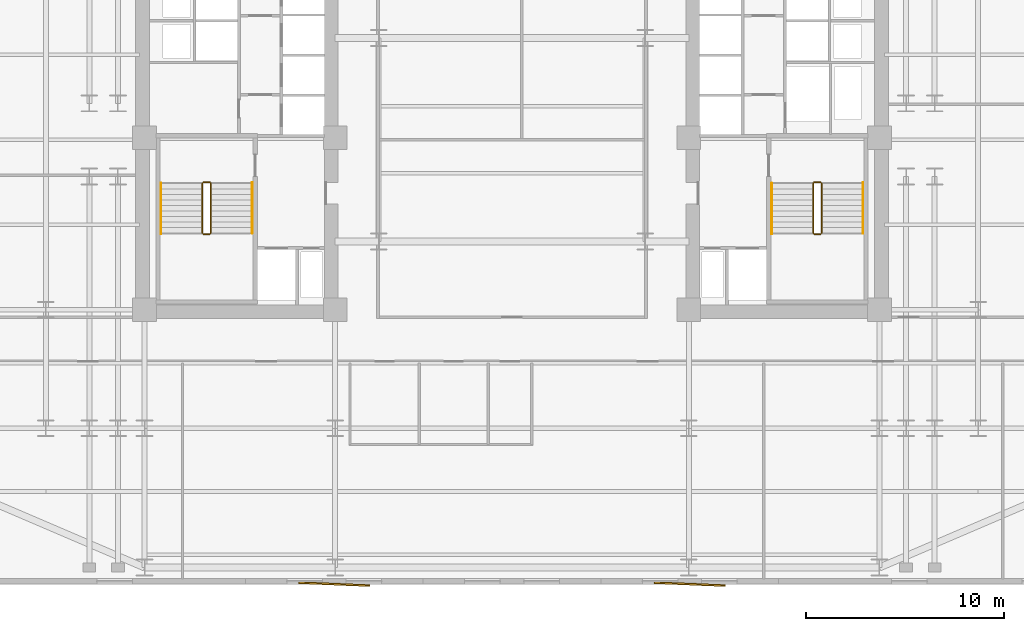
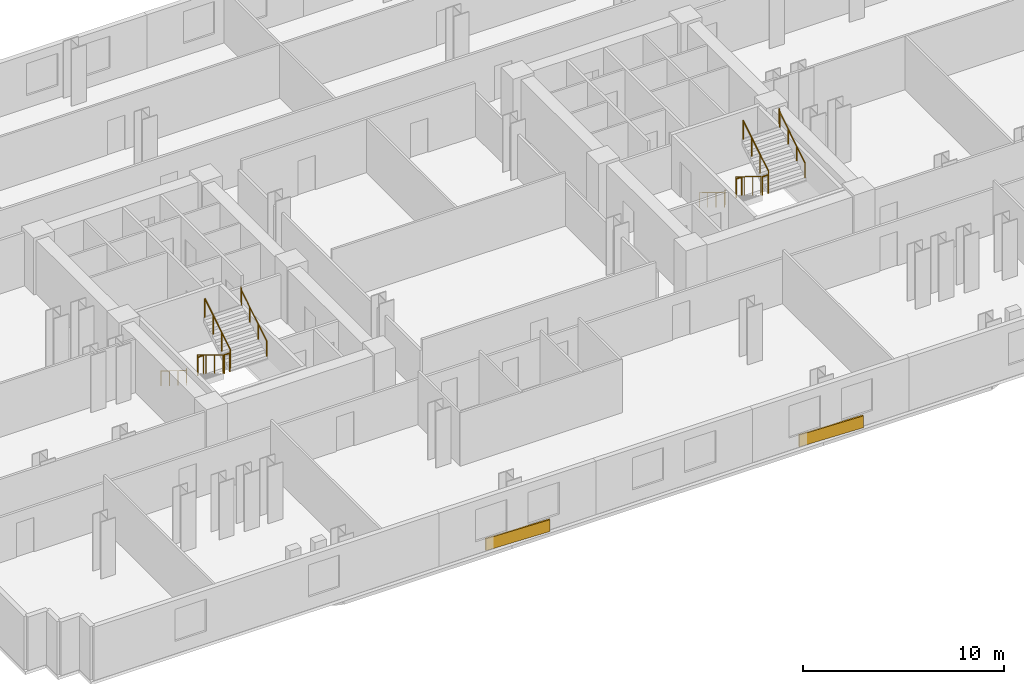
# One storey, part 9 of 10: 12 railings, 2 coverings.
"""IFC4 building model written with IfcOpenShell, lengths in metres."""

import ifcopenshell
import ifcopenshell.guid

model = None  # the IFC model being written
_history = None  # IfcOwnerHistory: only IFC2X3 demands one
_inside = {}  # id of a spatial element -> (the spatial element, [elements in it])
_under = {}  # id of a project, library or spatial element -> (it, [spatial elements below it])
_declared = {}  # id of a project -> (the project, [libraries it declares])
_typed = {}  # id of a type object -> (the type object, [elements of that type])
_made_of = {}  # id of a material, layer set ... -> (it, [elements and type objects made of it])


def new_model(schema):
    """Start an empty IFC model of exactly this schema.

    Asked for "IFC4X3", IfcOpenShell would pick the latest addendum, in which some entities
    have other attributes; the version numbers below select the first issue.
    IFC2X3 requires an IfcOwnerHistory on every rooted entity: one is made here for all.
    """
    global model, _history
    if schema == "IFC4X3":
        model = ifcopenshell.file(schema_version=(4, 3, 0, 0))
    else:
        model = ifcopenshell.file(schema=schema)
    _inside.clear()
    _under.clear()
    _declared.clear()
    _typed.clear()
    _made_of.clear()
    _history = None
    if model.schema == "IFC2X3":
        org = make("IfcOrganization", Name="unknown")
        user = make(
            "IfcPersonAndOrganization",
            ThePerson=make("IfcPerson", FamilyName="unknown"),
            TheOrganization=org,
        )
        app = make(
            "IfcApplication",
            ApplicationDeveloper=org,
            Version="unknown",
            ApplicationFullName="unknown",
            ApplicationIdentifier="unknown",
        )
        _history = make(
            "IfcOwnerHistory",
            OwningUser=user,
            OwningApplication=app,
            ChangeAction="ADDED",
            CreationDate=0,
        )
    return model


def make(cls, **values):
    """One entity of the class cls with the attributes given. An attribute that is None is left unset."""
    return model.create_entity(
        cls, **{name: value for name, value in values.items() if value is not None}
    )


def rooted(cls, **values):
    """An entity with a GlobalId (a new one), such as an element, a storey or a relation."""
    return make(cls, GlobalId=ifcopenshell.guid.new(), OwnerHistory=_history, **values)


def si_unit(unit_type, name, prefix=None):
    """IfcSIUnit, for example si_unit("LENGTHUNIT", "METRE", prefix="MILLI")."""
    return make("IfcSIUnit", UnitType=unit_type, Prefix=prefix, Name=name)


def assignment(units):
    """IfcUnitAssignment: the units of a project."""
    return None if units is None else make("IfcUnitAssignment", Units=units)


def point(xyz):
    """IfcCartesianPoint."""
    return None if xyz is None else make("IfcCartesianPoint", Coordinates=xyz)


def direction(xyz):
    """IfcDirection."""
    return None if xyz is None else make("IfcDirection", DirectionRatios=xyz)


def frame(location, z_axis=None, x_axis=None):
    """IfcAxis2Placement3D, a coordinate frame: its origin and axes. An axis left out is left unset."""
    return make(
        "IfcAxis2Placement3D",
        Location=point(location),
        Axis=direction(z_axis),
        RefDirection=direction(x_axis),
    )


def frame_2d(location, x_axis=None):
    """IfcAxis2Placement2D, a coordinate frame in the plane: its origin and x axis."""
    return make(
        "IfcAxis2Placement2D", Location=point(location), RefDirection=direction(x_axis)
    )


def origin():
    """The frame at (0, 0, 0) with its axes left unset."""
    return frame((0.0, 0.0, 0.0))


def origin_2d():
    """The frame at (0, 0) in the plane with its x axis left unset."""
    return frame_2d((0.0, 0.0))


def place(relative_to, where):
    """IfcLocalPlacement: puts the frame where relative to a parent placement (None: the world)."""
    return make(
        "IfcLocalPlacement", PlacementRelTo=relative_to, RelativePlacement=where
    )


def context(
    kind, dimensions, precision=None, world=None, true_north=None, identifier=None
):
    """IfcGeometricRepresentationContext, for example the 3D "Model" context."""
    return make(
        "IfcGeometricRepresentationContext",
        ContextIdentifier=identifier,
        ContextType=kind,
        CoordinateSpaceDimension=dimensions,
        Precision=precision,
        WorldCoordinateSystem=world,
        TrueNorth=true_north,
    )


def subcontext(parent, identifier, kind, view, scale=None):
    """IfcGeometricRepresentationSubContext, for example "Body" below "Model"."""
    return make(
        "IfcGeometricRepresentationSubContext",
        ContextIdentifier=identifier,
        ContextType=kind,
        ParentContext=parent,
        TargetScale=scale,
        TargetView=view,
    )


def project(units=None, contexts=None):
    """IfcProject with its units and contexts."""
    return rooted(
        "IfcProject",
        Name="project",
        RepresentationContexts=contexts,
        UnitsInContext=assignment(units),
    )


def spatial(cls, under=None, at=None, **own):
    """A site, building, storey or space (cls), placed at a placement, below another one or the project."""
    s = rooted(cls, ObjectPlacement=at, **own)
    if under is not None:
        _under.setdefault(under.id(), (under, []))[1].append(s)
    return s


def profile(cls, at=None, kind="AREA", **sizes):
    """A parametric profile (cls). Its sizes go by their IFC names, for example OverallWidth=200.0."""
    return make(cls, ProfileType=kind, Position=at, **sizes)


def rectangle(**sizes):
    """IfcRectangleProfileDef."""
    return profile("IfcRectangleProfileDef", **sizes)


def circle(**sizes):
    """IfcCircleProfileDef."""
    return profile("IfcCircleProfileDef", **sizes)


def extrude(swept, where, along, depth):
    """IfcExtrudedAreaSolid: the profile swept, set in the frame where, extruded along a direction by depth."""
    return make(
        "IfcExtrudedAreaSolid",
        SweptArea=swept,
        Position=where,
        ExtrudedDirection=direction(along),
        Depth=depth,
    )


def shape(context_of_items, identifier, shape_type, items):
    """IfcShapeRepresentation: the items that make up one representation, for example the "Body"."""
    return make(
        "IfcShapeRepresentation",
        ContextOfItems=context_of_items,
        RepresentationIdentifier=identifier,
        RepresentationType=shape_type,
        Items=items,
    )


def material(Name=None, Category=None):
    """IfcMaterial."""
    return make("IfcMaterial", Name=Name, Category=Category)


def layer(
    of_material, thickness, ventilated=None, Name=None, Category=None, Priority=None
):
    """IfcMaterialLayer: one layer of a wall or slab, of a material (None: an air gap)."""
    return make(
        "IfcMaterialLayer",
        Material=of_material,
        LayerThickness=thickness,
        IsVentilated=ventilated,
        Name=Name,
        Category=Category,
        Priority=Priority,
    )


def layer_set(layers, Name=None):
    """IfcMaterialLayerSet."""
    return make("IfcMaterialLayerSet", MaterialLayers=layers, LayerSetName=Name)


def made_of(thing, what):
    """Note that an element or type object is made of a material, layer set ...; save() writes the relation."""
    if what is not None:
        _made_of.setdefault(what.id(), (what, []))[1].append(thing)
    return thing


def type_object(cls, material=None, **own):
    """A type object (cls), such as IfcWallType, which elements share."""
    return made_of(rooted(cls, **own), material)


def element(
    cls,
    number,
    at=None,
    inside=None,
    cuts=None,
    type_object=None,
    material=None,
    context=None,
    identifier="Body",
    shape_type=None,
    held_by="IfcProductDefinitionShape",
    body=None,
    shapes=None,
    **own,
):
    """One element of the class cls, such as IfcWall. Its Tag is "e" and its number.

    at: its placement. inside: the storey or other place that contains it. cuts: it is an
    opening in that element (IfcRelVoidsElement). A single representation is given by context,
    identifier, shape_type and body (its items); several are given by shapes. held_by: the class
    of the entity that holds the representations. save() writes the other relations.
    """
    e = rooted(cls, Tag="e%d" % number, ObjectPlacement=at, **own)
    if body is not None:
        shapes = [shape(context, identifier, shape_type, body)]
    if shapes is not None:
        e.Representation = make(held_by, Representations=shapes)
    if inside is not None:
        _inside.setdefault(inside.id(), (inside, []))[1].append(e)
    if cuts is not None:
        rooted(
            "IfcRelVoidsElement", RelatingBuildingElement=cuts, RelatedOpeningElement=e
        )
    if type_object is not None:
        _typed.setdefault(type_object.id(), (type_object, []))[1].append(e)
    return made_of(e, material)


def aggregate(whole, parts):
    """IfcRelAggregates: a whole, such as a stair, and the parts it consists of."""
    return rooted("IfcRelAggregates", RelatingObject=whole, RelatedObjects=parts)


def save(model, path):
    """Write the relations noted so far, then the file.

    IfcRelAggregates (storeys below a building ...), IfcRelContainedInSpatialStructure (elements
    in a storey), IfcRelDefinesByType, IfcRelAssociatesMaterial and IfcRelDeclares: one each for
    every whole, place, type object, material and project.
    """
    for whole, parts in _under.values():
        aggregate(whole, parts)
    for where, things in _inside.values():
        rooted(
            "IfcRelContainedInSpatialStructure",
            RelatedElements=things,
            RelatingStructure=where,
        )
    for kind, things in _typed.values():
        rooted("IfcRelDefinesByType", RelatedObjects=things, RelatingType=kind)
    for what, things in _made_of.values():
        rooted("IfcRelAssociatesMaterial", RelatedObjects=things, RelatingMaterial=what)
    for by, libraries in _declared.values():
        rooted("IfcRelDeclares", RelatingContext=by, RelatedDefinitions=libraries)
    model.write(path)


model = new_model("IFC4")

# Units and contexts
model_context = context("Model", 3, precision=1e-05, world=origin(), true_north=direction((0.0, 1.0)))
body_context = subcontext(model_context, "Body", "Model", "MODEL_VIEW")
ifc_project = project(units=[si_unit("LENGTHUNIT", "METRE"), si_unit("AREAUNIT", "SQUARE_METRE"), si_unit("VOLUMEUNIT", "CUBIC_METRE"), si_unit("PLANEANGLEUNIT", "RADIAN"), si_unit("MASSUNIT", "GRAM", prefix="KILO")], contexts=[model_context])

# Site, building, storey
site_placement = place(None, origin())
site = spatial("IfcSite", under=ifc_project, at=site_placement, CompositionType="ELEMENT")
building_placement = place(site_placement, origin())
building = spatial("IfcBuilding", under=site, at=building_placement, Name="Velakula Bourse", CompositionType="ELEMENT")
storey_placement = place(building_placement, frame((0.0, 0.0, 51.89990234375)))
storey = spatial("IfcBuildingStorey", under=building, at=storey_placement, Name="L13", CompositionType="ELEMENT", Elevation=51.89990234375)

# Coverings
ifc_material_1 = material(Name="Red kilned clay facing brick masonry", Category="masonry")
ifc_layer = layer(ifc_material_1, 0.090087890625, Name="Red kilned clay facing brick masonry", Category="masonry")
ifc_layer_set = layer_set([ifc_layer], Name="Red kilned clay facing brick masonry")
covering_type = type_object("IfcCoveringType", Name="COV-BRK-FOLD-90", PredefinedType="CLADDING", material=ifc_layer_set)
for number, where, z_axis, x_axis, name in (
    (1, (-9.0, -22.489990234375, 0.0), (0.0, 0.0, 1.0), (0.999158993058, -0.041003738744, 0.0), "L13 Folded Brick Facade Cladding Panel S-B2"),
    (2, (9.0, -22.489990234375, 0.0), (0.0, 0.0, 1.0), (0.999158993058, -0.041003738744, 0.0), "L13 Folded Brick Facade Cladding Panel S-B4"),
):
    element("IfcCovering", number, at=place(storey_placement, frame(where, z_axis=z_axis, x_axis=x_axis)), inside=storey, type_object=covering_type, Name=name, PredefinedType="CLADDING", context=body_context, shape_type="SweptSolid", body=[
        extrude(rectangle(XDim=3.60009765625, YDim=0.090087890625, at=origin_2d()), origin(), (0.0, 0.0, 1.0), 0.719970703125),
    ])

# Railings
ifc_material_2 = material(Name="Brushed grade 316 stainless steel", Category="steel")
railing_type_1 = type_object("IfcRailingType", Name="RLG-STAIR-GUARD-1150", PredefinedType="BALUSTRADE", material=ifc_material_2)
railing_1_placement = place(storey_placement, frame((-15.672119140625, -2.199951171875, 0.172607421875)))
element("IfcRailing", 3, at=railing_1_placement, inside=storey, type_object=railing_type_1, Name="L13 ST-W1 stair guard 1", PredefinedType="BALUSTRADE", context=body_context, shape_type="SweptSolid", body=[
    extrude(circle(Radius=0.02490234375, at=origin_2d()), frame((0.0, 0.0, 1.125), z_axis=(0.0, -0.851400495292, 0.524516154772), x_axis=(1.0, 0.0, 0.0)), (0.0, 0.0, 1.0), 2.9599609375),
    extrude(circle(Radius=0.02099609375, at=origin_2d()), origin(), (0.0, 0.0, 1.0), 1.099853515625),
    extrude(circle(Radius=0.02099609375, at=origin_2d()), frame((0.0, -0.840087890625, 0.517578125)), (0.0, 0.0, 1.0), 1.099853515625),
    extrude(circle(Radius=0.02099609375, at=origin_2d()), frame((0.0, -1.679931640625, 1.034912109375)), (0.0, 0.0, 1.0), 1.099853515625),
    extrude(circle(Radius=0.02099609375, at=origin_2d()), frame((0.0, -2.52001953125, 1.552490234375)), (0.0, 0.0, 1.0), 1.099853515625),
])
railing_2_placement = place(storey_placement, frame((-15.6220703125, -4.77001953125, 1.72509765625)))
element("IfcRailing", 4, at=railing_2_placement, inside=storey, type_object=railing_type_1, Name="L13 ST-W1 stair guard 2", PredefinedType="BALUSTRADE", context=body_context, shape_type="SweptSolid", body=[
    extrude(circle(Radius=0.02490234375, at=origin_2d()), frame((0.0, 0.0, 1.125), z_axis=(1.0, 0.0, 0.0), x_axis=(0.0, 1.0, 0.0)), (0.0, 0.0, 1.0), 0.323974609375),
    extrude(circle(Radius=0.02099609375, at=origin_2d()), origin(), (0.0, 0.0, 1.0), 1.099853515625),
    extrude(circle(Radius=0.02099609375, at=origin_2d()), frame((0.323974609375, 0.0, 0.0)), (0.0, 0.0, 1.0), 1.099853515625),
])
railing_3_placement = place(storey_placement, frame((-15.248046875, -4.719970703125, 1.897705078125)))
element("IfcRailing", 5, at=railing_3_placement, inside=storey, type_object=railing_type_1, Name="L13 ST-W1 stair guard 3", PredefinedType="BALUSTRADE", context=body_context, shape_type="SweptSolid", body=[
    extrude(circle(Radius=0.02490234375, at=origin_2d()), frame((0.0, 0.0, 1.125), z_axis=(0.0, 0.851400495292, 0.524516154772), x_axis=(-1.0, 0.0, 0.0)), (0.0, 0.0, 1.0), 2.9599609375),
    extrude(circle(Radius=0.02099609375, at=origin_2d()), origin(), (0.0, 0.0, 1.0), 1.099853515625),
    extrude(circle(Radius=0.02099609375, at=origin_2d()), frame((0.0, 0.840087890625, 0.517578125)), (0.0, 0.0, 1.0), 1.099853515625),
    extrude(circle(Radius=0.02099609375, at=origin_2d()), frame((0.0, 1.679931640625, 1.034912109375)), (0.0, 0.0, 1.0), 1.099853515625),
    extrude(circle(Radius=0.02099609375, at=origin_2d()), frame((0.0, 2.52001953125, 1.552490234375)), (0.0, 0.0, 1.0), 1.099853515625),
])
railing_4_placement = place(storey_placement, frame((-15.6220703125, -2.14990234375, 0.0)))
element("IfcRailing", 6, at=railing_4_placement, inside=storey, type_object=railing_type_1, Name="L13 ST-W1 stair guard 4", PredefinedType="BALUSTRADE", context=body_context, shape_type="SweptSolid", body=[
    extrude(circle(Radius=0.02490234375, at=origin_2d()), frame((0.0, 0.0, 1.125), z_axis=(1.0, 0.0, 0.0), x_axis=(0.0, 1.0, 0.0)), (0.0, 0.0, 1.0), 0.323974609375),
    extrude(circle(Radius=0.02099609375, at=origin_2d()), origin(), (0.0, 0.0, 1.0), 1.099853515625),
    extrude(circle(Radius=0.02099609375, at=origin_2d()), frame((0.323974609375, 0.0, 0.0)), (0.0, 0.0, 1.0), 1.099853515625),
])
railing_5_placement = place(storey_placement, frame((15.248046875, -2.199951171875, 0.172607421875)))
element("IfcRailing", 7, at=railing_5_placement, inside=storey, type_object=railing_type_1, Name="L13 ST-E1 stair guard 1", PredefinedType="BALUSTRADE", context=body_context, shape_type="SweptSolid", body=[
    extrude(circle(Radius=0.02490234375, at=origin_2d()), frame((0.0, 0.0, 1.125), z_axis=(0.0, -0.851400495292, 0.524516154772), x_axis=(1.0, 0.0, 0.0)), (0.0, 0.0, 1.0), 2.9599609375),
    extrude(circle(Radius=0.02099609375, at=origin_2d()), origin(), (0.0, 0.0, 1.0), 1.099853515625),
    extrude(circle(Radius=0.02099609375, at=origin_2d()), frame((0.0, -0.840087890625, 0.517578125)), (0.0, 0.0, 1.0), 1.099853515625),
    extrude(circle(Radius=0.02099609375, at=origin_2d()), frame((0.0, -1.679931640625, 1.034912109375)), (0.0, 0.0, 1.0), 1.099853515625),
    extrude(circle(Radius=0.02099609375, at=origin_2d()), frame((0.0, -2.52001953125, 1.552490234375)), (0.0, 0.0, 1.0), 1.099853515625),
])
railing_6_placement = place(storey_placement, frame((15.298095703125, -4.77001953125, 1.72509765625)))
element("IfcRailing", 8, at=railing_6_placement, inside=storey, type_object=railing_type_1, Name="L13 ST-E1 stair guard 2", PredefinedType="BALUSTRADE", context=body_context, shape_type="SweptSolid", body=[
    extrude(circle(Radius=0.02490234375, at=origin_2d()), frame((0.0, 0.0, 1.125), z_axis=(1.0, 0.0, 0.0), x_axis=(0.0, 1.0, 0.0)), (0.0, 0.0, 1.0), 0.323974609375),
    extrude(circle(Radius=0.02099609375, at=origin_2d()), origin(), (0.0, 0.0, 1.0), 1.099853515625),
    extrude(circle(Radius=0.02099609375, at=origin_2d()), frame((0.323974609375, 0.0, 0.0)), (0.0, 0.0, 1.0), 1.099853515625),
])
railing_7_placement = place(storey_placement, frame((15.672119140625, -4.719970703125, 1.897705078125)))
element("IfcRailing", 9, at=railing_7_placement, inside=storey, type_object=railing_type_1, Name="L13 ST-E1 stair guard 3", PredefinedType="BALUSTRADE", context=body_context, shape_type="SweptSolid", body=[
    extrude(circle(Radius=0.02490234375, at=origin_2d()), frame((0.0, 0.0, 1.125), z_axis=(0.0, 0.851400495292, 0.524516154772), x_axis=(-1.0, 0.0, 0.0)), (0.0, 0.0, 1.0), 2.9599609375),
    extrude(circle(Radius=0.02099609375, at=origin_2d()), origin(), (0.0, 0.0, 1.0), 1.099853515625),
    extrude(circle(Radius=0.02099609375, at=origin_2d()), frame((0.0, 0.840087890625, 0.517578125)), (0.0, 0.0, 1.0), 1.099853515625),
    extrude(circle(Radius=0.02099609375, at=origin_2d()), frame((0.0, 1.679931640625, 1.034912109375)), (0.0, 0.0, 1.0), 1.099853515625),
    extrude(circle(Radius=0.02099609375, at=origin_2d()), frame((0.0, 2.52001953125, 1.552490234375)), (0.0, 0.0, 1.0), 1.099853515625),
])
railing_8_placement = place(storey_placement, frame((15.298095703125, -2.14990234375, 0.0)))
element("IfcRailing", 10, at=railing_8_placement, inside=storey, type_object=railing_type_1, Name="L13 ST-E1 stair guard 4", PredefinedType="BALUSTRADE", context=body_context, shape_type="SweptSolid", body=[
    extrude(circle(Radius=0.02490234375, at=origin_2d()), frame((0.0, 0.0, 1.125), z_axis=(1.0, 0.0, 0.0), x_axis=(0.0, 1.0, 0.0)), (0.0, 0.0, 1.0), 0.323974609375),
    extrude(circle(Radius=0.02099609375, at=origin_2d()), origin(), (0.0, 0.0, 1.0), 1.099853515625),
    extrude(circle(Radius=0.02099609375, at=origin_2d()), frame((0.323974609375, 0.0, 0.0)), (0.0, 0.0, 1.0), 1.099853515625),
])
railing_type_2 = type_object("IfcRailingType", Name="RLG-STAIR-HAND-920", PredefinedType="HANDRAIL", material=ifc_material_2)
railing_9_placement = place(storey_placement, frame((-17.77001953125, -2.199951171875, 0.172607421875)))
element("IfcRailing", 11, at=railing_9_placement, inside=storey, type_object=railing_type_2, Name="L13 ST-W1 stair handrail 1", PredefinedType="HANDRAIL", context=body_context, shape_type="SweptSolid", body=[
    extrude(circle(Radius=0.02099609375, at=origin_2d()), frame((0.0, 0.0, 0.89892578125), z_axis=(0.0, -0.851400495292, 0.524516154772), x_axis=(1.0, 0.0, 0.0)), (0.0, 0.0, 1.0), 2.9599609375),
    extrude(circle(Radius=0.02099609375, at=origin_2d()), frame((0.0, -2.52001953125, 2.451416015625), z_axis=(0.0, -0.22596628056, 0.974135124123), x_axis=(1.0, 0.0, 0.0)), (0.0, 0.0, 1.0), 0.17724609375),
    extrude(circle(Radius=0.02099609375, at=origin_2d()), frame((0.0, -2.56005859375, 2.6240234375), z_axis=(0.0, -1.0, 0.0), x_axis=(1.0, 0.0, 0.0)), (0.0, 0.0, 1.0), 0.0048828125),
    extrude(circle(Radius=0.02099609375, at=origin_2d()), origin(), (0.0, 0.0, 1.0), 0.8779296875),
    extrude(circle(Radius=0.02099609375, at=origin_2d()), frame((0.0, -0.840087890625, 0.517578125)), (0.0, 0.0, 1.0), 0.8779296875),
    extrude(circle(Radius=0.02099609375, at=origin_2d()), frame((0.0, -1.679931640625, 1.034912109375)), (0.0, 0.0, 1.0), 0.8779296875),
    extrude(circle(Radius=0.02099609375, at=origin_2d()), frame((0.0, -2.52001953125, 1.552490234375)), (0.0, 0.0, 1.0), 0.8779296875),
    extrude(circle(Radius=0.02099609375, at=origin_2d()), frame((0.0, -2.56005859375, 1.72509765625)), (0.0, 0.0, 1.0), 0.8779296875),
    extrude(circle(Radius=0.02099609375, at=origin_2d()), frame((0.0, -2.56494140625, 1.72509765625)), (0.0, 0.0, 1.0), 0.8779296875),
])
railing_10_placement = place(storey_placement, frame((-13.14990234375, -4.719970703125, 1.897705078125)))
element("IfcRailing", 12, at=railing_10_placement, inside=storey, type_object=railing_type_2, Name="L13 ST-W1 stair handrail 2", PredefinedType="HANDRAIL", context=body_context, shape_type="SweptSolid", body=[
    extrude(circle(Radius=0.02099609375, at=origin_2d()), frame((0.0, 0.0, 0.89892578125), z_axis=(0.0, 0.851400495292, 0.524516154772), x_axis=(-1.0, 0.0, 0.0)), (0.0, 0.0, 1.0), 2.9599609375),
    extrude(circle(Radius=0.02099609375, at=origin_2d()), frame((0.0, 2.52001953125, 2.451416015625), z_axis=(0.0, 0.226269970362, 0.974064628509), x_axis=(-1.0, 0.0, 0.0)), (0.0, 0.0, 1.0), 0.177001953125),
    extrude(circle(Radius=0.02099609375, at=origin_2d()), frame((0.0, 2.56005859375, 2.623779296875), z_axis=(0.0, 1.0, 0.0), x_axis=(-1.0, 0.0, 0.0)), (0.0, 0.0, 1.0), 0.0048828125),
    extrude(circle(Radius=0.02099609375, at=origin_2d()), origin(), (0.0, 0.0, 1.0), 0.8779296875),
    extrude(circle(Radius=0.02099609375, at=origin_2d()), frame((0.0, 0.840087890625, 0.517578125)), (0.0, 0.0, 1.0), 0.8779296875),
    extrude(circle(Radius=0.02099609375, at=origin_2d()), frame((0.0, 1.679931640625, 1.034912109375)), (0.0, 0.0, 1.0), 0.8779296875),
    extrude(circle(Radius=0.02099609375, at=origin_2d()), frame((0.0, 2.52001953125, 1.552490234375)), (0.0, 0.0, 1.0), 0.8779296875),
    extrude(circle(Radius=0.02099609375, at=origin_2d()), frame((0.0, 2.56005859375, 1.724853515625)), (0.0, 0.0, 1.0), 0.8779296875),
    extrude(circle(Radius=0.02099609375, at=origin_2d()), frame((0.0, 2.56494140625, 1.724853515625)), (0.0, 0.0, 1.0), 0.8779296875),
])
railing_11_placement = place(storey_placement, frame((13.14990234375, -2.199951171875, 0.172607421875)))
element("IfcRailing", 13, at=railing_11_placement, inside=storey, type_object=railing_type_2, Name="L13 ST-E1 stair handrail 1", PredefinedType="HANDRAIL", context=body_context, shape_type="SweptSolid", body=[
    extrude(circle(Radius=0.02099609375, at=origin_2d()), frame((0.0, 0.0, 0.89892578125), z_axis=(0.0, -0.851400495292, 0.524516154772), x_axis=(1.0, 0.0, 0.0)), (0.0, 0.0, 1.0), 2.9599609375),
    extrude(circle(Radius=0.02099609375, at=origin_2d()), frame((0.0, -2.52001953125, 2.451416015625), z_axis=(0.0, -0.22596628056, 0.974135124123), x_axis=(1.0, 0.0, 0.0)), (0.0, 0.0, 1.0), 0.17724609375),
    extrude(circle(Radius=0.02099609375, at=origin_2d()), frame((0.0, -2.56005859375, 2.6240234375), z_axis=(0.0, -1.0, 0.0), x_axis=(1.0, 0.0, 0.0)), (0.0, 0.0, 1.0), 0.0048828125),
    extrude(circle(Radius=0.02099609375, at=origin_2d()), origin(), (0.0, 0.0, 1.0), 0.8779296875),
    extrude(circle(Radius=0.02099609375, at=origin_2d()), frame((0.0, -0.840087890625, 0.517578125)), (0.0, 0.0, 1.0), 0.8779296875),
    extrude(circle(Radius=0.02099609375, at=origin_2d()), frame((0.0, -1.679931640625, 1.034912109375)), (0.0, 0.0, 1.0), 0.8779296875),
    extrude(circle(Radius=0.02099609375, at=origin_2d()), frame((0.0, -2.52001953125, 1.552490234375)), (0.0, 0.0, 1.0), 0.8779296875),
    extrude(circle(Radius=0.02099609375, at=origin_2d()), frame((0.0, -2.56005859375, 1.72509765625)), (0.0, 0.0, 1.0), 0.8779296875),
    extrude(circle(Radius=0.02099609375, at=origin_2d()), frame((0.0, -2.56494140625, 1.72509765625)), (0.0, 0.0, 1.0), 0.8779296875),
])
railing_12_placement = place(storey_placement, frame((17.77001953125, -4.719970703125, 1.897705078125)))
element("IfcRailing", 14, at=railing_12_placement, inside=storey, type_object=railing_type_2, Name="L13 ST-E1 stair handrail 2", PredefinedType="HANDRAIL", context=body_context, shape_type="SweptSolid", body=[
    extrude(circle(Radius=0.02099609375, at=origin_2d()), frame((0.0, 0.0, 0.89892578125), z_axis=(0.0, 0.851400495292, 0.524516154772), x_axis=(-1.0, 0.0, 0.0)), (0.0, 0.0, 1.0), 2.9599609375),
    extrude(circle(Radius=0.02099609375, at=origin_2d()), frame((0.0, 2.52001953125, 2.451416015625), z_axis=(0.0, 0.226269970362, 0.974064628509), x_axis=(-1.0, 0.0, 0.0)), (0.0, 0.0, 1.0), 0.177001953125),
    extrude(circle(Radius=0.02099609375, at=origin_2d()), frame((0.0, 2.56005859375, 2.623779296875), z_axis=(0.0, 1.0, 0.0), x_axis=(-1.0, 0.0, 0.0)), (0.0, 0.0, 1.0), 0.0048828125),
    extrude(circle(Radius=0.02099609375, at=origin_2d()), origin(), (0.0, 0.0, 1.0), 0.8779296875),
    extrude(circle(Radius=0.02099609375, at=origin_2d()), frame((0.0, 0.840087890625, 0.517578125)), (0.0, 0.0, 1.0), 0.8779296875),
    extrude(circle(Radius=0.02099609375, at=origin_2d()), frame((0.0, 1.679931640625, 1.034912109375)), (0.0, 0.0, 1.0), 0.8779296875),
    extrude(circle(Radius=0.02099609375, at=origin_2d()), frame((0.0, 2.52001953125, 1.552490234375)), (0.0, 0.0, 1.0), 0.8779296875),
    extrude(circle(Radius=0.02099609375, at=origin_2d()), frame((0.0, 2.56005859375, 1.724853515625)), (0.0, 0.0, 1.0), 0.8779296875),
    extrude(circle(Radius=0.02099609375, at=origin_2d()), frame((0.0, 2.56494140625, 1.724853515625)), (0.0, 0.0, 1.0), 0.8779296875),
])

save(model, "model.ifc")
